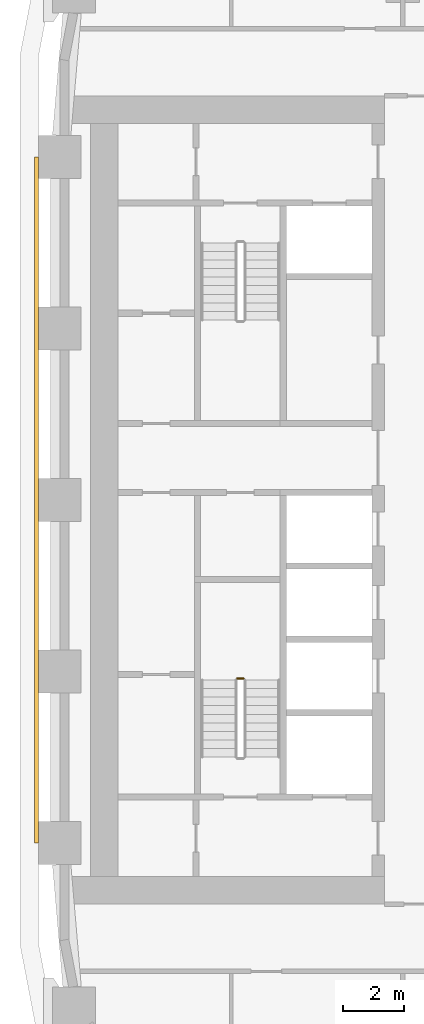
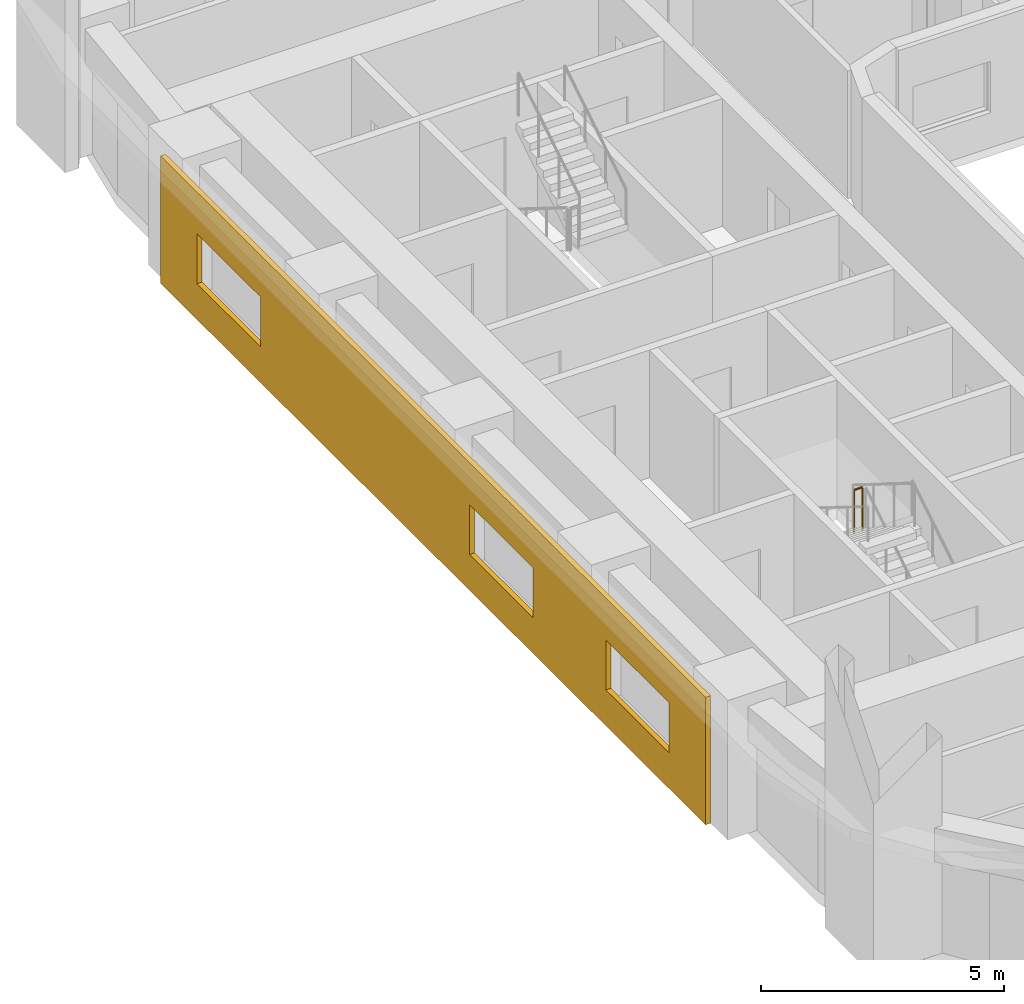
# One storey, part 13 of 22: 1 covering, 1 railing.
"""IFC4 building model written with IfcOpenShell, lengths in metres."""

from ifc_helpers import new_model, si_unit, direction, frame, origin, origin_2d, place, context, subcontext, project, spatial, polyline, circle, outline, extrude, material, layer, layer_set, type_object, element, save


model = new_model("IFC4")

# Units and contexts
model_context = context("Model", 3, precision=1e-05, world=origin(), true_north=direction((0.0, 1.0)))
body_context = subcontext(model_context, "Body", "Model", "MODEL_VIEW")
ifc_project = project(units=[si_unit("LENGTHUNIT", "METRE"), si_unit("AREAUNIT", "SQUARE_METRE"), si_unit("VOLUMEUNIT", "CUBIC_METRE"), si_unit("PLANEANGLEUNIT", "RADIAN"), si_unit("MASSUNIT", "GRAM", prefix="KILO")], contexts=[model_context])

# Site, building, storey
site_placement = place(None, origin())
site = spatial("IfcSite", under=ifc_project, at=site_placement, CompositionType="ELEMENT")
building_placement = place(site_placement, origin())
building = spatial("IfcBuilding", under=site, at=building_placement, Name="Kiln Ring Residences", CompositionType="ELEMENT")
storey_placement = place(building_placement, frame((0.0, 0.0, 55.0)))
storey = spatial("IfcBuildingStorey", under=building, at=storey_placement, Name="L13", CompositionType="ELEMENT", Elevation=55.0)

# Railing
ifc_material_1 = material(Name="Stainless steel", Category="steel")
railing_type = type_object("IfcRailingType", Name="CORE-STAIR-GUARD", PredefinedType="GUARDRAIL", material=ifc_material_1)
railing_placement = place(storey_placement, frame((-22.0, -5.830078125, 1.75)))
element("IfcRailing", 1, at=railing_placement, inside=storey, type_object=railing_type, Name="L13 W-STS stair guard 2", PredefinedType="GUARDRAIL", context=body_context, shape_type="SweptSolid", body=[
    extrude(circle(Radius=0.02392578125, at=origin_2d()), frame((0.0, 0.0, 1.076171875), z_axis=(-1.0, 0.0, 0.0), x_axis=(0.0, -1.0, 0.0)), (0.0, 0.0, 1.0), 0.199951171875),
    extrude(circle(Radius=0.02099609375, at=origin_2d()), origin(), (0.0, 0.0, 1.0), 1.052001953125),
    extrude(circle(Radius=0.02099609375, at=origin_2d()), frame((-0.199951171875, 0.0, 0.0)), (0.0, 0.0, 1.0), 1.052001953125),
])

# Covering
ifc_material_2 = material(Name="Brick masonry, dark clay brick", Category="masonry")
ifc_layer = layer(ifc_material_2, 0.1201171875)
ifc_layer_set = layer_set([ifc_layer], Name="RAINSCREEN PANEL 120")
covering_type = type_object("IfcCoveringType", Name="RAINSCREEN PANEL 120", PredefinedType="CLADDING", material=ifc_layer_set)
covering_placement = place(storey_placement, frame((-28.760009765625, 11.199951171875, 0.0), z_axis=(0.0, 0.0, 1.0), x_axis=(0.0, -1.0, 0.0)))
element("IfcCovering", 2, at=covering_placement, inside=storey, type_object=covering_type, Name="RAINSCREEN L13", PredefinedType="CLADDING", context=body_context, shape_type="SweptSolid", body=[
    extrude(outline(polyline([(0.0, 0.0), (22.39990234375, 0.0), (22.39990234375, 3.199951171875), (0.0, 3.199951171875), (0.0, 0.0)]), holes=[polyline([(4.10009765625, 2.14990234375), (1.5, 2.14990234375), (1.5, 0.89990234375), (4.10009765625, 0.89990234375), (4.10009765625, 2.14990234375)]), polyline([(15.300048828125, 0.89990234375), (15.300048828125, 2.14990234375), (12.699951171875, 2.14990234375), (12.699951171875, 0.89990234375), (15.300048828125, 0.89990234375)]), polyline([(20.89990234375, 0.89990234375), (20.89990234375, 2.14990234375), (18.300048828125, 2.14990234375), (18.300048828125, 0.89990234375), (20.89990234375, 0.89990234375)])]), frame((0.0, 0.06005859375, 0.0), z_axis=(0.0, -1.0, 0.0), x_axis=(1.0, 0.0, 0.0)), (0.0, 0.0, 1.0), 0.1201171875),
])

save(model, "model.ifc")
